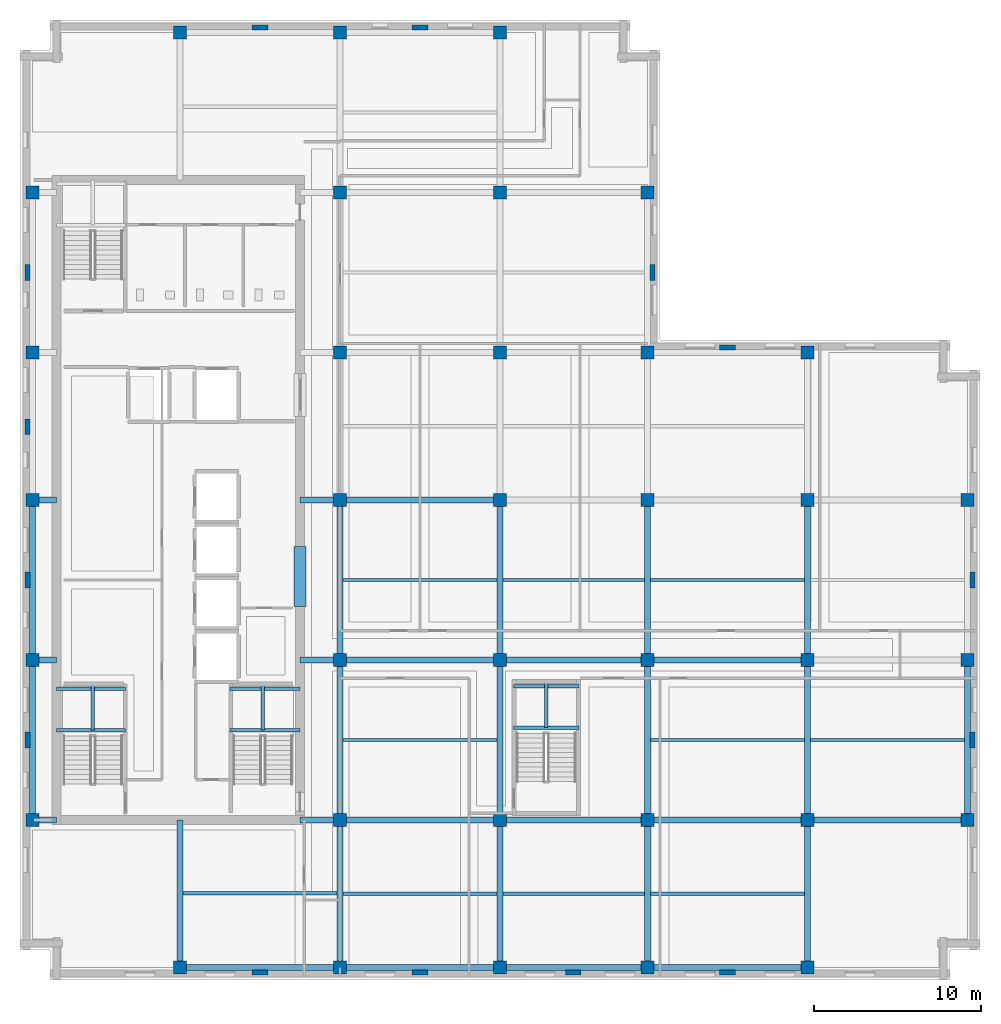
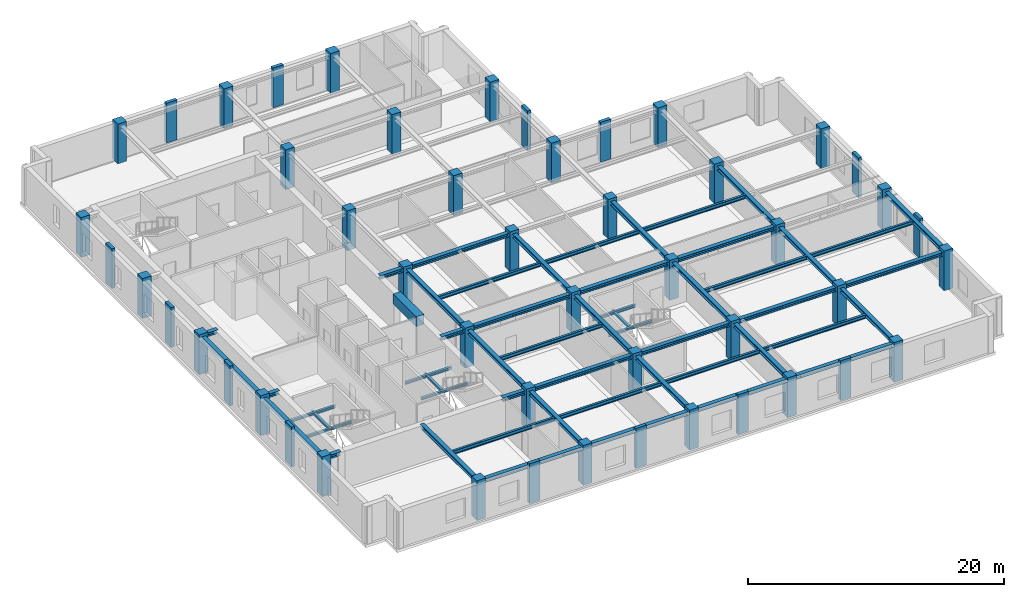
# One storey, part 1 of 10: 54 beams, 49 columns.
"""IFC4 building model written with IfcOpenShell, lengths in metres."""

from ifc_helpers import new_model, si_unit, direction, frame, origin, origin_2d, place, context, subcontext, project, spatial, rectangle, i_section, extrude, material, material_profile, profile_set, type_object, element, save


model = new_model("IFC4")

# Units and contexts
model_context = context("Model", 3, precision=1e-05, world=origin(), true_north=direction((0.0, 1.0)))
body_context = subcontext(model_context, "Body", "Model", "MODEL_VIEW")
ifc_project = project(units=[si_unit("LENGTHUNIT", "METRE"), si_unit("AREAUNIT", "SQUARE_METRE"), si_unit("VOLUMEUNIT", "CUBIC_METRE"), si_unit("PLANEANGLEUNIT", "RADIAN"), si_unit("MASSUNIT", "GRAM", prefix="KILO")], contexts=[model_context])

# Site, building, storey
site_placement = place(None, origin())
site = spatial("IfcSite", under=ifc_project, at=site_placement, CompositionType="ELEMENT")
building_placement = place(site_placement, origin())
building = spatial("IfcBuilding", under=site, at=building_placement, Name="Norrvale University Quadrangle", CompositionType="ELEMENT")
storey_placement = place(building_placement, frame((0.0, 0.0, 233.199951171875)))
storey = spatial("IfcBuildingStorey", under=building, at=storey_placement, Name="L59", CompositionType="ELEMENT", Elevation=233.199951171875)

# Columns
ifc_material_1 = material(Name="Red Manganese Brick Concrete C60/75", Category="concrete")
ifc_material_profile_1 = material_profile(ifc_material_1, rectangle(XDim=0.949951171875, YDim=0.300048828125, at=origin_2d()), Name="Red Manganese Brick Concrete C60/75")
ifc_profile_set_1 = profile_set([ifc_material_profile_1], Name="Red Manganese Brick Concrete C60/75")
column_type_1 = type_object("IfcColumnType", Name="Column Brick Pier 950x300", PredefinedType="PILASTER", material=ifc_profile_set_1)
for number, where, z_axis, x_axis, name in (
    (1, (0.449951171875, 14.39990234375, 0.0), (0.0, 0.0, 1.0), (0.0, 1.0, 0.0), "Exterior Brick Facade Pilaster L59-01"),
    (2, (0.449951171875, 24.0, 0.0), (0.0, 0.0, 1.0), (0.0, 1.0, 0.0), "Exterior Brick Facade Pilaster L59-02"),
    (3, (0.449951171875, 33.199951171875, 0.0), (0.0, 0.0, 1.0), (0.0, 1.0, 0.0), "Exterior Brick Facade Pilaster L59-03"),
    (4, (0.449951171875, 42.449951171875, 0.0), (0.0, 0.0, 1.0), (0.0, 1.0, 0.0), "Exterior Brick Facade Pilaster L59-04"),
    (5, (14.39990234375, 0.449951171875, 0.0), (0.0, 0.0, 1.0), (1.0, 0.0, 0.0), "Exterior Brick Facade Pilaster L59-05"),
    (6, (24.0, 0.449951171875, 0.0), (0.0, 0.0, 1.0), (1.0, 0.0, 0.0), "Exterior Brick Facade Pilaster L59-06"),
    (7, (33.199951171875, 0.449951171875, 0.0), (0.0, 0.0, 1.0), (1.0, 0.0, 0.0), "Exterior Brick Facade Pilaster L59-07"),
    (8, (42.449951171875, 0.449951171875, 0.0), (0.0, 0.0, 1.0), (1.0, 0.0, 0.0), "Exterior Brick Facade Pilaster L59-08"),
    (9, (57.14990234375, 14.39990234375, 0.0), (0.0, 0.0, 1.0), (0.0, 1.0, 0.0), "Exterior Brick Facade Pilaster L59-09"),
    (10, (57.14990234375, 24.0, 0.0), (0.0, 0.0, 1.0), (0.0, 1.0, 0.0), "Exterior Brick Facade Pilaster L59-10"),
    (11, (14.39990234375, 57.14990234375, 0.0), (0.0, 0.0, 1.0), (1.0, 0.0, 0.0), "Exterior Brick Facade Pilaster L59-11"),
    (12, (24.0, 57.14990234375, 0.0), (0.0, 0.0, 1.0), (1.0, 0.0, 0.0), "Exterior Brick Facade Pilaster L59-12"),
    (13, (37.949951171875, 42.449951171875, 0.0), (0.0, 0.0, 1.0), (0.0, 1.0, 0.0), "Exterior Brick Facade Pilaster L59-13"),
    (14, (42.449951171875, 37.949951171875, 0.0), (0.0, 0.0, 1.0), (1.0, 0.0, 0.0), "Exterior Brick Facade Pilaster L59-14"),
):
    element("IfcColumn", number, at=place(storey_placement, frame(where, z_axis=z_axis, x_axis=x_axis)), inside=storey, type_object=column_type_1, Name=name, PredefinedType="PILASTER", context=body_context, shape_type="SweptSolid", body=[
        extrude(rectangle(XDim=0.949951171875, YDim=0.300048828125, at=origin_2d()), origin(), (0.0, 0.0, 1.0), 3.800048828125),
    ])
ifc_material_2 = material(Name="Concrete C60/75", Category="concrete")
ifc_material_profile_2 = material_profile(ifc_material_2, rectangle(XDim=0.800048828125, YDim=0.800048828125, at=origin_2d()), Name="Concrete C60/75")
ifc_profile_set_2 = profile_set([ifc_material_profile_2], Name="Concrete C60/75")
column_type_2 = type_object("IfcColumnType", Name="Column Tower Z3 800x800", PredefinedType="COLUMN", material=ifc_profile_set_2)
for number, where, z_axis, x_axis, name in (
    (15, (0.75, 9.60009765625, 0.0), (0.0, 0.0, 1.0), (1.0, 0.0, 0.0), "Tower Column L59-T01"),
    (16, (0.75, 19.199951171875, 0.0), (0.0, 0.0, 1.0), (1.0, 0.0, 0.0), "Tower Column L59-T02"),
    (17, (0.75, 28.800048828125, 0.0), (0.0, 0.0, 1.0), (1.0, 0.0, 0.0), "Tower Column L59-T03"),
    (18, (0.75, 37.64990234375, 0.0), (0.0, 0.0, 1.0), (1.0, 0.0, 0.0), "Tower Column L59-T04"),
    (19, (0.75, 47.25, 0.0), (0.0, 0.0, 1.0), (1.0, 0.0, 0.0), "Tower Column L59-T05"),
    (20, (9.60009765625, 0.75, 0.0), (0.0, 0.0, 1.0), (1.0, 0.0, 0.0), "Tower Column L59-T06"),
    (21, (9.60009765625, 56.85009765625, 0.0), (0.0, 0.0, 1.0), (1.0, 0.0, 0.0), "Tower Column L59-T07"),
    (22, (19.199951171875, 0.75, 0.0), (0.0, 0.0, 1.0), (1.0, 0.0, 0.0), "Tower Column L59-T08"),
    (23, (19.199951171875, 9.60009765625, 0.0), (0.0, 0.0, 1.0), (1.0, 0.0, 0.0), "Tower Column L59-T09"),
    (24, (19.199951171875, 19.199951171875, 0.0), (0.0, 0.0, 1.0), (1.0, 0.0, 0.0), "Tower Column L59-T10"),
    (25, (19.199951171875, 28.800048828125, 0.0), (0.0, 0.0, 1.0), (1.0, 0.0, 0.0), "Tower Column L59-T11"),
    (26, (19.199951171875, 37.64990234375, 0.0), (0.0, 0.0, 1.0), (1.0, 0.0, 0.0), "Tower Column L59-T12"),
    (27, (19.199951171875, 47.25, 0.0), (0.0, 0.0, 1.0), (1.0, 0.0, 0.0), "Tower Column L59-T13"),
    (28, (19.199951171875, 56.85009765625, 0.0), (0.0, 0.0, 1.0), (1.0, 0.0, 0.0), "Tower Column L59-T14"),
    (29, (28.800048828125, 0.75, 0.0), (0.0, 0.0, 1.0), (1.0, 0.0, 0.0), "Tower Column L59-T15"),
    (30, (28.800048828125, 9.60009765625, 0.0), (0.0, 0.0, 1.0), (1.0, 0.0, 0.0), "Tower Column L59-T16"),
    (31, (28.800048828125, 19.199951171875, 0.0), (0.0, 0.0, 1.0), (1.0, 0.0, 0.0), "Tower Column L59-T17"),
    (32, (28.800048828125, 28.800048828125, 0.0), (0.0, 0.0, 1.0), (1.0, 0.0, 0.0), "Tower Column L59-T18"),
    (33, (28.800048828125, 37.64990234375, 0.0), (0.0, 0.0, 1.0), (1.0, 0.0, 0.0), "Tower Column L59-T19"),
    (34, (28.800048828125, 47.25, 0.0), (0.0, 0.0, 1.0), (1.0, 0.0, 0.0), "Tower Column L59-T20"),
    (35, (28.800048828125, 56.85009765625, 0.0), (0.0, 0.0, 1.0), (1.0, 0.0, 0.0), "Tower Column L59-T21"),
    (36, (37.64990234375, 0.75, 0.0), (0.0, 0.0, 1.0), (1.0, 0.0, 0.0), "Tower Column L59-T22"),
    (37, (37.64990234375, 9.60009765625, 0.0), (0.0, 0.0, 1.0), (1.0, 0.0, 0.0), "Tower Column L59-T23"),
    (38, (37.64990234375, 19.199951171875, 0.0), (0.0, 0.0, 1.0), (1.0, 0.0, 0.0), "Tower Column L59-T24"),
    (39, (37.64990234375, 28.800048828125, 0.0), (0.0, 0.0, 1.0), (1.0, 0.0, 0.0), "Tower Column L59-T25"),
    (40, (37.64990234375, 37.64990234375, 0.0), (0.0, 0.0, 1.0), (1.0, 0.0, 0.0), "Tower Column L59-T26"),
    (41, (37.64990234375, 47.25, 0.0), (0.0, 0.0, 1.0), (1.0, 0.0, 0.0), "Tower Column L59-T27"),
    (42, (47.25, 0.75, 0.0), (0.0, 0.0, 1.0), (1.0, 0.0, 0.0), "Tower Column L59-T28"),
    (43, (47.25, 9.60009765625, 0.0), (0.0, 0.0, 1.0), (1.0, 0.0, 0.0), "Tower Column L59-T29"),
    (44, (47.25, 19.199951171875, 0.0), (0.0, 0.0, 1.0), (1.0, 0.0, 0.0), "Tower Column L59-T30"),
    (45, (47.25, 28.800048828125, 0.0), (0.0, 0.0, 1.0), (1.0, 0.0, 0.0), "Tower Column L59-T31"),
    (46, (47.25, 37.64990234375, 0.0), (0.0, 0.0, 1.0), (1.0, 0.0, 0.0), "Tower Column L59-T32"),
    (47, (56.85009765625, 9.60009765625, 0.0), (0.0, 0.0, 1.0), (1.0, 0.0, 0.0), "Tower Column L59-T33"),
    (48, (56.85009765625, 19.199951171875, 0.0), (0.0, 0.0, 1.0), (1.0, 0.0, 0.0), "Tower Column L59-T34"),
    (49, (56.85009765625, 28.800048828125, 0.0), (0.0, 0.0, 1.0), (1.0, 0.0, 0.0), "Tower Column L59-T35"),
):
    element("IfcColumn", number, at=place(storey_placement, frame(where, z_axis=z_axis, x_axis=x_axis)), inside=storey, type_object=column_type_2, Name=name, PredefinedType="COLUMN", context=body_context, shape_type="SweptSolid", body=[
        extrude(rectangle(XDim=0.800048828125, YDim=0.800048828125, at=origin_2d()), origin(), (0.0, 0.0, 1.0), 3.800048828125),
    ])

# Beams
ifc_material_3 = material(Name="Concrete C80/95", Category="concrete")
ifc_material_profile_3 = material_profile(ifc_material_3, rectangle(XDim=0.699951171875, YDim=0.949951171875, at=origin_2d()), Name="Concrete C80/95")
ifc_profile_set_3 = profile_set([ifc_material_profile_3], Name="Concrete C80/95")
beam_type_1 = type_object("IfcBeamType", Name="Beam Core Link 700x950", PredefinedType="LINTEL", material=ifc_profile_set_3)
beam_1_placement = place(storey_placement, frame((16.800048828125, 22.39990234375, 3.06494140625), z_axis=(0.0, 1.0, 0.0), x_axis=(-1.0, 0.0, 0.0)))
element("IfcBeam", 50, at=beam_1_placement, inside=storey, type_object=beam_type_1, Name="Core Coupling Lintel Beam L59-1", PredefinedType="LINTEL", context=body_context, shape_type="SweptSolid", body=[
    extrude(rectangle(XDim=0.699951171875, YDim=0.949951171875, at=origin_2d()), origin(), (0.0, 0.0, 1.0), 3.60009765625),
])
ifc_material_4 = material(Name="Steel 350W", Category="steel")
ifc_material_profile_4 = material_profile(ifc_material_4, i_section(OverallWidth=0.368896484375, OverallDepth=0.35595703125, WebThickness=0.01123046875, FlangeThickness=0.01806640625, FilletRadius=0.014892578125, at=origin_2d()), Name="Steel 350W")
ifc_profile_set_4 = profile_set([ifc_material_profile_4], Name="Steel 350W")
beam_type_2 = type_object("IfcBeamType", Name="Beam Crown W360x134", PredefinedType="BEAM", material=ifc_profile_set_4)
beam_2_placement = place(storey_placement, frame((9.60009765625, 0.75, 3.362060546875), z_axis=(1.0, 0.0, 0.0), x_axis=(0.0, 1.0, 0.0)))
element("IfcBeam", 51, at=beam_2_placement, inside=storey, type_object=beam_type_2, Name="Beam Crown W360x134 BM-L59-GX001", PredefinedType="BEAM", context=body_context, shape_type="SweptSolid", body=[
    extrude(i_section(OverallWidth=0.368896484375, OverallDepth=0.35595703125, WebThickness=0.01123046875, FlangeThickness=0.01806640625, FilletRadius=0.014892578125, at=origin_2d()), origin(), (0.0, 0.0, 1.0), 9.599853515625),
])
beam_3_placement = place(storey_placement, frame((19.199951171875, 0.75, 3.362060546875), z_axis=(1.0, 0.0, 0.0), x_axis=(0.0, 1.0, 0.0)))
element("IfcBeam", 52, at=beam_3_placement, inside=storey, type_object=beam_type_2, Name="Beam Crown W360x134 BM-L59-GX002", PredefinedType="BEAM", context=body_context, shape_type="SweptSolid", body=[
    extrude(i_section(OverallWidth=0.368896484375, OverallDepth=0.35595703125, WebThickness=0.01123046875, FlangeThickness=0.01806640625, FilletRadius=0.014892578125, at=origin_2d()), origin(), (0.0, 0.0, 1.0), 9.60009765625),
])
beam_4_placement = place(storey_placement, frame((28.800048828125, 0.75, 3.362060546875), z_axis=(1.0, 0.0, 0.0), x_axis=(0.0, 1.0, 0.0)))
element("IfcBeam", 53, at=beam_4_placement, inside=storey, type_object=beam_type_2, Name="Beam Crown W360x134 BM-L59-GX003", PredefinedType="BEAM", context=body_context, shape_type="SweptSolid", body=[
    extrude(i_section(OverallWidth=0.368896484375, OverallDepth=0.35595703125, WebThickness=0.01123046875, FlangeThickness=0.01806640625, FilletRadius=0.014892578125, at=origin_2d()), origin(), (0.0, 0.0, 1.0), 8.849853515625),
])
for number, where, z_axis, x_axis, name in (
    (54, (37.64990234375, 0.75, 3.362060546875), (1.0, 0.0, 0.0), (0.0, 1.0, 0.0), "Beam Crown W360x134 BM-L59-GX004"),
    (55, (19.199951171875, 9.60009765625, 3.362060546875), (1.0, 0.0, 0.0), (0.0, 1.0, 0.0), "Beam Crown W360x134 BM-L59-GX005"),
):
    element("IfcBeam", number, at=place(storey_placement, frame(where, z_axis=z_axis, x_axis=x_axis)), inside=storey, type_object=beam_type_2, Name=name, PredefinedType="BEAM", context=body_context, shape_type="SweptSolid", body=[
        extrude(i_section(OverallWidth=0.368896484375, OverallDepth=0.35595703125, WebThickness=0.01123046875, FlangeThickness=0.01806640625, FilletRadius=0.014892578125, at=origin_2d()), origin(), (0.0, 0.0, 1.0), 9.60009765625),
    ])
beam_5_placement = place(storey_placement, frame((28.800048828125, 9.60009765625, 3.362060546875), z_axis=(1.0, 0.0, 0.0), x_axis=(0.0, 1.0, 0.0)))
element("IfcBeam", 56, at=beam_5_placement, inside=storey, type_object=beam_type_2, Name="Beam Crown W360x134 BM-L59-GX006", PredefinedType="BEAM", context=body_context, shape_type="SweptSolid", body=[
    extrude(i_section(OverallWidth=0.368896484375, OverallDepth=0.35595703125, WebThickness=0.01123046875, FlangeThickness=0.01806640625, FilletRadius=0.014892578125, at=origin_2d()), origin(), (0.0, 0.0, 1.0), 8.849853515625),
])
for number, where, z_axis, x_axis, name in (
    (57, (37.64990234375, 9.60009765625, 3.362060546875), (1.0, 0.0, 0.0), (0.0, 1.0, 0.0), "Beam Crown W360x134 BM-L59-GX007"),
    (58, (47.25, 9.60009765625, 3.362060546875), (1.0, 0.0, 0.0), (0.0, 1.0, 0.0), "Beam Crown W360x134 BM-L59-GX008"),
    (59, (19.199951171875, 19.199951171875, 3.362060546875), (1.0, 0.0, 0.0), (0.0, 1.0, 0.0), "Beam Crown W360x134 BM-L59-GX009"),
):
    element("IfcBeam", number, at=place(storey_placement, frame(where, z_axis=z_axis, x_axis=x_axis)), inside=storey, type_object=beam_type_2, Name=name, PredefinedType="BEAM", context=body_context, shape_type="SweptSolid", body=[
        extrude(i_section(OverallWidth=0.368896484375, OverallDepth=0.35595703125, WebThickness=0.01123046875, FlangeThickness=0.01806640625, FilletRadius=0.014892578125, at=origin_2d()), origin(), (0.0, 0.0, 1.0), 9.60009765625),
    ])
beam_6_placement = place(storey_placement, frame((28.800048828125, 19.199951171875, 3.362060546875), z_axis=(1.0, 0.0, 0.0), x_axis=(0.0, 1.0, 0.0)))
element("IfcBeam", 60, at=beam_6_placement, inside=storey, type_object=beam_type_2, Name="Beam Crown W360x134 BM-L59-GX010", PredefinedType="BEAM", context=body_context, shape_type="SweptSolid", body=[
    extrude(i_section(OverallWidth=0.368896484375, OverallDepth=0.35595703125, WebThickness=0.01123046875, FlangeThickness=0.01806640625, FilletRadius=0.014892578125, at=origin_2d()), origin(), (0.0, 0.0, 1.0), 8.849853515625),
])
for number, where, z_axis, x_axis, name in (
    (61, (37.64990234375, 19.199951171875, 3.362060546875), (1.0, 0.0, 0.0), (0.0, 1.0, 0.0), "Beam Crown W360x134 BM-L59-GX011"),
    (62, (19.199951171875, 28.800048828125, 3.362060546875), (1.0, 0.0, 0.0), (0.0, 1.0, 0.0), "Beam Crown W360x134 BM-L59-GX013"),
):
    element("IfcBeam", number, at=place(storey_placement, frame(where, z_axis=z_axis, x_axis=x_axis)), inside=storey, type_object=beam_type_2, Name=name, PredefinedType="BEAM", context=body_context, shape_type="SweptSolid", body=[
        extrude(i_section(OverallWidth=0.368896484375, OverallDepth=0.35595703125, WebThickness=0.01123046875, FlangeThickness=0.01806640625, FilletRadius=0.014892578125, at=origin_2d()), origin(), (0.0, 0.0, 1.0), 9.60009765625),
    ])
beam_7_placement = place(storey_placement, frame((0.75, 9.60009765625, 3.362060546875), z_axis=(0.0, 1.0, 0.0), x_axis=(-1.0, 0.0, 0.0)))
element("IfcBeam", 63, at=beam_7_placement, inside=storey, type_object=beam_type_2, Name="Beam Crown W360x134 BM-L59-GY024", PredefinedType="BEAM", context=body_context, shape_type="SweptSolid", body=[
    extrude(i_section(OverallWidth=0.368896484375, OverallDepth=0.35595703125, WebThickness=0.01123046875, FlangeThickness=0.01806640625, FilletRadius=0.014892578125, at=origin_2d()), origin(), (0.0, 0.0, 1.0), 9.599853515625),
])
beam_8_placement = place(storey_placement, frame((0.75, 19.199951171875, 3.362060546875), z_axis=(0.0, 1.0, 0.0), x_axis=(-1.0, 0.0, 0.0)))
element("IfcBeam", 64, at=beam_8_placement, inside=storey, type_object=beam_type_2, Name="Beam Crown W360x134 BM-L59-GY025", PredefinedType="BEAM", context=body_context, shape_type="SweptSolid", body=[
    extrude(i_section(OverallWidth=0.368896484375, OverallDepth=0.35595703125, WebThickness=0.01123046875, FlangeThickness=0.01806640625, FilletRadius=0.014892578125, at=origin_2d()), origin(), (0.0, 0.0, 1.0), 9.60009765625),
])
beam_9_placement = place(storey_placement, frame((19.199951171875, 0.75, 3.362060546875), z_axis=(0.0, 1.0, 0.0), x_axis=(-1.0, 0.0, 0.0)))
element("IfcBeam", 65, at=beam_9_placement, inside=storey, type_object=beam_type_2, Name="Beam Crown W360x134 BM-L59-GY028", PredefinedType="BEAM", context=body_context, shape_type="SweptSolid", body=[
    extrude(i_section(OverallWidth=0.368896484375, OverallDepth=0.35595703125, WebThickness=0.01123046875, FlangeThickness=0.01806640625, FilletRadius=0.014892578125, at=origin_2d()), origin(), (0.0, 0.0, 1.0), 8.85009765625),
])
beam_10_placement = place(storey_placement, frame((19.199951171875, 9.60009765625, 3.362060546875), z_axis=(0.0, 1.0, 0.0), x_axis=(-1.0, 0.0, 0.0)))
element("IfcBeam", 66, at=beam_10_placement, inside=storey, type_object=beam_type_2, Name="Beam Crown W360x134 BM-L59-GY029", PredefinedType="BEAM", context=body_context, shape_type="SweptSolid", body=[
    extrude(i_section(OverallWidth=0.368896484375, OverallDepth=0.35595703125, WebThickness=0.01123046875, FlangeThickness=0.01806640625, FilletRadius=0.014892578125, at=origin_2d()), origin(), (0.0, 0.0, 1.0), 9.599853515625),
])
beam_11_placement = place(storey_placement, frame((19.199951171875, 19.199951171875, 3.362060546875), z_axis=(0.0, 1.0, 0.0), x_axis=(-1.0, 0.0, 0.0)))
element("IfcBeam", 67, at=beam_11_placement, inside=storey, type_object=beam_type_2, Name="Beam Crown W360x134 BM-L59-GY030", PredefinedType="BEAM", context=body_context, shape_type="SweptSolid", body=[
    extrude(i_section(OverallWidth=0.368896484375, OverallDepth=0.35595703125, WebThickness=0.01123046875, FlangeThickness=0.01806640625, FilletRadius=0.014892578125, at=origin_2d()), origin(), (0.0, 0.0, 1.0), 9.60009765625),
])
beam_12_placement = place(storey_placement, frame((28.800048828125, 0.75, 3.362060546875), z_axis=(0.0, 1.0, 0.0), x_axis=(-1.0, 0.0, 0.0)))
element("IfcBeam", 68, at=beam_12_placement, inside=storey, type_object=beam_type_2, Name="Beam Crown W360x134 BM-L59-GY034", PredefinedType="BEAM", context=body_context, shape_type="SweptSolid", body=[
    extrude(i_section(OverallWidth=0.368896484375, OverallDepth=0.35595703125, WebThickness=0.01123046875, FlangeThickness=0.01806640625, FilletRadius=0.014892578125, at=origin_2d()), origin(), (0.0, 0.0, 1.0), 8.85009765625),
])
beam_13_placement = place(storey_placement, frame((28.800048828125, 9.60009765625, 3.362060546875), z_axis=(0.0, 1.0, 0.0), x_axis=(-1.0, 0.0, 0.0)))
element("IfcBeam", 69, at=beam_13_placement, inside=storey, type_object=beam_type_2, Name="Beam Crown W360x134 BM-L59-GY035", PredefinedType="BEAM", context=body_context, shape_type="SweptSolid", body=[
    extrude(i_section(OverallWidth=0.368896484375, OverallDepth=0.35595703125, WebThickness=0.01123046875, FlangeThickness=0.01806640625, FilletRadius=0.014892578125, at=origin_2d()), origin(), (0.0, 0.0, 1.0), 9.599853515625),
])
beam_14_placement = place(storey_placement, frame((28.800048828125, 19.199951171875, 3.362060546875), z_axis=(0.0, 1.0, 0.0), x_axis=(-1.0, 0.0, 0.0)))
element("IfcBeam", 70, at=beam_14_placement, inside=storey, type_object=beam_type_2, Name="Beam Crown W360x134 BM-L59-GY036", PredefinedType="BEAM", context=body_context, shape_type="SweptSolid", body=[
    extrude(i_section(OverallWidth=0.368896484375, OverallDepth=0.35595703125, WebThickness=0.01123046875, FlangeThickness=0.01806640625, FilletRadius=0.014892578125, at=origin_2d()), origin(), (0.0, 0.0, 1.0), 9.60009765625),
])
beam_15_placement = place(storey_placement, frame((37.64990234375, 0.75, 3.362060546875), z_axis=(0.0, 1.0, 0.0), x_axis=(-1.0, 0.0, 0.0)))
element("IfcBeam", 71, at=beam_15_placement, inside=storey, type_object=beam_type_2, Name="Beam Crown W360x134 BM-L59-GY040", PredefinedType="BEAM", context=body_context, shape_type="SweptSolid", body=[
    extrude(i_section(OverallWidth=0.368896484375, OverallDepth=0.35595703125, WebThickness=0.01123046875, FlangeThickness=0.01806640625, FilletRadius=0.014892578125, at=origin_2d()), origin(), (0.0, 0.0, 1.0), 8.85009765625),
])
beam_16_placement = place(storey_placement, frame((37.64990234375, 9.60009765625, 3.362060546875), z_axis=(0.0, 1.0, 0.0), x_axis=(-1.0, 0.0, 0.0)))
element("IfcBeam", 72, at=beam_16_placement, inside=storey, type_object=beam_type_2, Name="Beam Crown W360x134 BM-L59-GY041", PredefinedType="BEAM", context=body_context, shape_type="SweptSolid", body=[
    extrude(i_section(OverallWidth=0.368896484375, OverallDepth=0.35595703125, WebThickness=0.01123046875, FlangeThickness=0.01806640625, FilletRadius=0.014892578125, at=origin_2d()), origin(), (0.0, 0.0, 1.0), 9.599853515625),
])
beam_17_placement = place(storey_placement, frame((37.64990234375, 19.199951171875, 3.362060546875), z_axis=(0.0, 1.0, 0.0), x_axis=(-1.0, 0.0, 0.0)))
element("IfcBeam", 73, at=beam_17_placement, inside=storey, type_object=beam_type_2, Name="Beam Crown W360x134 BM-L59-GY042", PredefinedType="BEAM", context=body_context, shape_type="SweptSolid", body=[
    extrude(i_section(OverallWidth=0.368896484375, OverallDepth=0.35595703125, WebThickness=0.01123046875, FlangeThickness=0.01806640625, FilletRadius=0.014892578125, at=origin_2d()), origin(), (0.0, 0.0, 1.0), 9.60009765625),
])
beam_18_placement = place(storey_placement, frame((47.25, 0.75, 3.362060546875), z_axis=(0.0, 1.0, 0.0), x_axis=(-1.0, 0.0, 0.0)))
element("IfcBeam", 74, at=beam_18_placement, inside=storey, type_object=beam_type_2, Name="Beam Crown W360x134 BM-L59-GY045", PredefinedType="BEAM", context=body_context, shape_type="SweptSolid", body=[
    extrude(i_section(OverallWidth=0.368896484375, OverallDepth=0.35595703125, WebThickness=0.01123046875, FlangeThickness=0.01806640625, FilletRadius=0.014892578125, at=origin_2d()), origin(), (0.0, 0.0, 1.0), 8.85009765625),
])
beam_19_placement = place(storey_placement, frame((47.25, 9.60009765625, 3.362060546875), z_axis=(0.0, 1.0, 0.0), x_axis=(-1.0, 0.0, 0.0)))
element("IfcBeam", 75, at=beam_19_placement, inside=storey, type_object=beam_type_2, Name="Beam Crown W360x134 BM-L59-GY046", PredefinedType="BEAM", context=body_context, shape_type="SweptSolid", body=[
    extrude(i_section(OverallWidth=0.368896484375, OverallDepth=0.35595703125, WebThickness=0.01123046875, FlangeThickness=0.01806640625, FilletRadius=0.014892578125, at=origin_2d()), origin(), (0.0, 0.0, 1.0), 9.599853515625),
])
beam_20_placement = place(storey_placement, frame((47.25, 19.199951171875, 3.362060546875), z_axis=(0.0, 1.0, 0.0), x_axis=(-1.0, 0.0, 0.0)))
element("IfcBeam", 76, at=beam_20_placement, inside=storey, type_object=beam_type_2, Name="Beam Crown W360x134 BM-L59-GY047", PredefinedType="BEAM", context=body_context, shape_type="SweptSolid", body=[
    extrude(i_section(OverallWidth=0.368896484375, OverallDepth=0.35595703125, WebThickness=0.01123046875, FlangeThickness=0.01806640625, FilletRadius=0.014892578125, at=origin_2d()), origin(), (0.0, 0.0, 1.0), 9.60009765625),
])
beam_21_placement = place(storey_placement, frame((56.85009765625, 9.60009765625, 3.362060546875), z_axis=(0.0, 1.0, 0.0), x_axis=(-1.0, 0.0, 0.0)))
element("IfcBeam", 77, at=beam_21_placement, inside=storey, type_object=beam_type_2, Name="Beam Crown W360x134 BM-L59-GY049", PredefinedType="BEAM", context=body_context, shape_type="SweptSolid", body=[
    extrude(i_section(OverallWidth=0.368896484375, OverallDepth=0.35595703125, WebThickness=0.01123046875, FlangeThickness=0.01806640625, FilletRadius=0.014892578125, at=origin_2d()), origin(), (0.0, 0.0, 1.0), 9.599853515625),
])
beam_22_placement = place(storey_placement, frame((0.75, 9.60009765625, 3.362060546875), z_axis=(1.0, 0.0, 0.0), x_axis=(0.0, 1.0, 0.0)))
element("IfcBeam", 78, at=beam_22_placement, inside=storey, type_object=beam_type_2, Name="Beam Crown W360x134 BM-L59-GCW051", PredefinedType="BEAM", context=body_context, shape_type="SweptSolid", body=[
    extrude(i_section(OverallWidth=0.368896484375, OverallDepth=0.35595703125, WebThickness=0.01123046875, FlangeThickness=0.01806640625, FilletRadius=0.014892578125, at=origin_2d()), origin(), (0.0, 0.0, 1.0), 1.449951171875),
])
beam_23_placement = place(storey_placement, frame((16.800048828125, 9.60009765625, 3.362060546875), z_axis=(1.0, 0.0, 0.0), x_axis=(0.0, 1.0, 0.0)))
element("IfcBeam", 79, at=beam_23_placement, inside=storey, type_object=beam_type_2, Name="Beam Crown W360x134 BM-L59-GCE052", PredefinedType="BEAM", context=body_context, shape_type="SweptSolid", body=[
    extrude(i_section(OverallWidth=0.368896484375, OverallDepth=0.35595703125, WebThickness=0.01123046875, FlangeThickness=0.01806640625, FilletRadius=0.014892578125, at=origin_2d()), origin(), (0.0, 0.0, 1.0), 2.39990234375),
])
beam_24_placement = place(storey_placement, frame((0.75, 19.199951171875, 3.362060546875), z_axis=(1.0, 0.0, 0.0), x_axis=(0.0, 1.0, 0.0)))
element("IfcBeam", 80, at=beam_24_placement, inside=storey, type_object=beam_type_2, Name="Beam Crown W360x134 BM-L59-GCW053", PredefinedType="BEAM", context=body_context, shape_type="SweptSolid", body=[
    extrude(i_section(OverallWidth=0.368896484375, OverallDepth=0.35595703125, WebThickness=0.01123046875, FlangeThickness=0.01806640625, FilletRadius=0.014892578125, at=origin_2d()), origin(), (0.0, 0.0, 1.0), 1.449951171875),
])
beam_25_placement = place(storey_placement, frame((16.800048828125, 19.199951171875, 3.362060546875), z_axis=(1.0, 0.0, 0.0), x_axis=(0.0, 1.0, 0.0)))
element("IfcBeam", 81, at=beam_25_placement, inside=storey, type_object=beam_type_2, Name="Beam Crown W360x134 BM-L59-GCE054", PredefinedType="BEAM", context=body_context, shape_type="SweptSolid", body=[
    extrude(i_section(OverallWidth=0.368896484375, OverallDepth=0.35595703125, WebThickness=0.01123046875, FlangeThickness=0.01806640625, FilletRadius=0.014892578125, at=origin_2d()), origin(), (0.0, 0.0, 1.0), 2.39990234375),
])
beam_26_placement = place(storey_placement, frame((0.75, 28.800048828125, 3.362060546875), z_axis=(1.0, 0.0, 0.0), x_axis=(0.0, 1.0, 0.0)))
element("IfcBeam", 82, at=beam_26_placement, inside=storey, type_object=beam_type_2, Name="Beam Crown W360x134 BM-L59-GCW055", PredefinedType="BEAM", context=body_context, shape_type="SweptSolid", body=[
    extrude(i_section(OverallWidth=0.368896484375, OverallDepth=0.35595703125, WebThickness=0.01123046875, FlangeThickness=0.01806640625, FilletRadius=0.014892578125, at=origin_2d()), origin(), (0.0, 0.0, 1.0), 1.449951171875),
])
beam_27_placement = place(storey_placement, frame((16.800048828125, 28.800048828125, 3.362060546875), z_axis=(1.0, 0.0, 0.0), x_axis=(0.0, 1.0, 0.0)))
element("IfcBeam", 83, at=beam_27_placement, inside=storey, type_object=beam_type_2, Name="Beam Crown W360x134 BM-L59-GCE056", PredefinedType="BEAM", context=body_context, shape_type="SweptSolid", body=[
    extrude(i_section(OverallWidth=0.368896484375, OverallDepth=0.35595703125, WebThickness=0.01123046875, FlangeThickness=0.01806640625, FilletRadius=0.014892578125, at=origin_2d()), origin(), (0.0, 0.0, 1.0), 2.39990234375),
])
beam_28_placement = place(storey_placement, frame((9.60009765625, 0.75, 3.362060546875), z_axis=(0.0, 1.0, 0.0), x_axis=(-1.0, 0.0, 0.0)))
element("IfcBeam", 84, at=beam_28_placement, inside=storey, type_object=beam_type_2, Name="Beam Crown W360x134 BM-L59-GCS077", PredefinedType="BEAM", context=body_context, shape_type="SweptSolid", body=[
    extrude(i_section(OverallWidth=0.368896484375, OverallDepth=0.35595703125, WebThickness=0.01123046875, FlangeThickness=0.01806640625, FilletRadius=0.014892578125, at=origin_2d()), origin(), (0.0, 0.0, 1.0), 8.85009765625),
])
ifc_material_profile_5 = material_profile(ifc_material_4, i_section(OverallWidth=0.205078125, OverallDepth=0.35400390625, WebThickness=0.009521484375, FlangeThickness=0.016845703125, FilletRadius=0.011962890625, at=origin_2d()), Name="Steel 350W")
ifc_profile_set_5 = profile_set([ifc_material_profile_5], Name="Steel 350W")
beam_type_3 = type_object("IfcBeamType", Name="Beam Crown W360x79", PredefinedType="BEAM", material=ifc_profile_set_5)
for number, where, z_axis, x_axis, name in (
    (85, (19.384521484375, 5.175048828125, 3.363037109375), (1.0, 0.0, 0.0), (0.0, 1.0, 0.0), "Beam Crown W360x79 BM-L59-J061"),
    (86, (19.384521484375, 14.39990234375, 3.363037109375), (1.0, 0.0, 0.0), (0.0, 1.0, 0.0), "Beam Crown W360x79 BM-L59-J062"),
    (87, (19.384521484375, 24.0, 3.363037109375), (1.0, 0.0, 0.0), (0.0, 1.0, 0.0), "Beam Crown W360x79 BM-L59-J063"),
):
    element("IfcBeam", number, at=place(storey_placement, frame(where, z_axis=z_axis, x_axis=x_axis)), inside=storey, type_object=beam_type_3, Name=name, PredefinedType="BEAM", context=body_context, shape_type="SweptSolid", body=[
        extrude(i_section(OverallWidth=0.205078125, OverallDepth=0.35400390625, WebThickness=0.009521484375, FlangeThickness=0.016845703125, FilletRadius=0.011962890625, at=origin_2d()), origin(), (0.0, 0.0, 1.0), 9.23095703125),
    ])
for number, where, z_axis, x_axis, name in (
    (88, (28.984619140625, 5.175048828125, 3.363037109375), (1.0, 0.0, 0.0), (0.0, 1.0, 0.0), "Beam Crown W360x79 BM-L59-J067"),
    (89, (28.984619140625, 24.0, 3.363037109375), (1.0, 0.0, 0.0), (0.0, 1.0, 0.0), "Beam Crown W360x79 BM-L59-J068"),
):
    element("IfcBeam", number, at=place(storey_placement, frame(where, z_axis=z_axis, x_axis=x_axis)), inside=storey, type_object=beam_type_3, Name=name, PredefinedType="BEAM", context=body_context, shape_type="SweptSolid", body=[
        extrude(i_section(OverallWidth=0.205078125, OverallDepth=0.35400390625, WebThickness=0.009521484375, FlangeThickness=0.016845703125, FilletRadius=0.011962890625, at=origin_2d()), origin(), (0.0, 0.0, 1.0), 8.48095703125),
    ])
for number, where, z_axis, x_axis, name in (
    (90, (37.83447265625, 5.175048828125, 3.363037109375), (1.0, 0.0, 0.0), (0.0, 1.0, 0.0), "Beam Crown W360x79 BM-L59-J071"),
    (91, (37.83447265625, 14.39990234375, 3.363037109375), (1.0, 0.0, 0.0), (0.0, 1.0, 0.0), "Beam Crown W360x79 BM-L59-J072"),
    (92, (37.83447265625, 24.0, 3.363037109375), (1.0, 0.0, 0.0), (0.0, 1.0, 0.0), "Beam Crown W360x79 BM-L59-J073"),
    (93, (47.4345703125, 14.39990234375, 3.363037109375), (1.0, 0.0, 0.0), (0.0, 1.0, 0.0), "Beam Crown W360x79 BM-L59-J075"),
    (94, (9.784423828125, 5.199951171875, 3.363037109375), (1.0, 0.0, 0.0), (0.0, 1.0, 0.0), "Beam Crown W360x79 BM-L59-JCS078"),
):
    element("IfcBeam", number, at=place(storey_placement, frame(where, z_axis=z_axis, x_axis=x_axis)), inside=storey, type_object=beam_type_3, Name=name, PredefinedType="BEAM", context=body_context, shape_type="SweptSolid", body=[
        extrude(i_section(OverallWidth=0.205078125, OverallDepth=0.35400390625, WebThickness=0.009521484375, FlangeThickness=0.016845703125, FilletRadius=0.011962890625, at=origin_2d()), origin(), (0.0, 0.0, 1.0), 9.23095703125),
    ])
ifc_material_profile_6 = material_profile(ifc_material_4, i_section(OverallWidth=0.201904296875, OverallDepth=0.2470703125, WebThickness=0.00732421875, FlangeThickness=0.010986328125, FilletRadius=0.011962890625, at=origin_2d()), Name="Steel 350W")
ifc_profile_set_6 = profile_set([ifc_material_profile_6], Name="Steel 350W")
beam_type_4 = type_object("IfcBeamType", Name="Beam Stair W250x49", PredefinedType="BEAM", material=ifc_profile_set_6)
for number, where, z_axis, x_axis, name in (
    (95, (2.199951171875, 14.989990234375, 1.57666015625), (1.0, 0.0, 0.0), (0.0, 1.0, 0.0), "Stair Mid-Landing Front Beam ST-01 L59"),
    (96, (2.199951171875, 17.469970703125, 1.57666015625), (1.0, 0.0, 0.0), (0.0, 1.0, 0.0), "Stair Mid-Landing Rear Beam ST-01 L59"),
):
    element("IfcBeam", number, at=place(storey_placement, frame(where, z_axis=z_axis, x_axis=x_axis)), inside=storey, type_object=beam_type_4, Name=name, PredefinedType="BEAM", context=body_context, shape_type="SweptSolid", body=[
        extrude(i_section(OverallWidth=0.201904296875, OverallDepth=0.2470703125, WebThickness=0.00732421875, FlangeThickness=0.010986328125, FilletRadius=0.011962890625, at=origin_2d()), origin(), (0.0, 0.0, 1.0), 4.14013671875),
    ])
for number, where, z_axis, x_axis, name in (
    (97, (12.610107421875, 14.989990234375, 1.57666015625), (1.0, 0.0, 0.0), (0.0, 1.0, 0.0), "Stair Mid-Landing Front Beam ST-03 L59"),
    (98, (12.610107421875, 17.469970703125, 1.57666015625), (1.0, 0.0, 0.0), (0.0, 1.0, 0.0), "Stair Mid-Landing Rear Beam ST-03 L59"),
):
    element("IfcBeam", number, at=place(storey_placement, frame(where, z_axis=z_axis, x_axis=x_axis)), inside=storey, type_object=beam_type_4, Name=name, PredefinedType="BEAM", context=body_context, shape_type="SweptSolid", body=[
        extrude(i_section(OverallWidth=0.201904296875, OverallDepth=0.2470703125, WebThickness=0.00732421875, FlangeThickness=0.010986328125, FilletRadius=0.011962890625, at=origin_2d()), origin(), (0.0, 0.0, 1.0), 4.18994140625),
    ])
for number, where, z_axis, x_axis, name in (
    (99, (29.610107421875, 15.139892578125, 1.57666015625), (1.0, 0.0, 0.0), (0.0, 1.0, 0.0), "Stair Mid-Landing Front Beam ST-04 L59"),
    (100, (29.610107421875, 17.6201171875, 1.57666015625), (1.0, 0.0, 0.0), (0.0, 1.0, 0.0), "Stair Mid-Landing Rear Beam ST-04 L59"),
):
    element("IfcBeam", number, at=place(storey_placement, frame(where, z_axis=z_axis, x_axis=x_axis)), inside=storey, type_object=beam_type_4, Name=name, PredefinedType="BEAM", context=body_context, shape_type="SweptSolid", body=[
        extrude(i_section(OverallWidth=0.201904296875, OverallDepth=0.2470703125, WebThickness=0.00732421875, FlangeThickness=0.010986328125, FilletRadius=0.011962890625, at=origin_2d()), origin(), (0.0, 0.0, 1.0), 3.929931640625),
    ])
ifc_material_profile_7 = material_profile(ifc_material_4, i_section(OverallWidth=0.202880859375, OverallDepth=0.202880859375, WebThickness=0.007080078125, FlangeThickness=0.010986328125, FilletRadius=0.010009765625, at=origin_2d()), Name="Steel 350W")
ifc_profile_set_7 = profile_set([ifc_material_profile_7], Name="Steel 350W")
beam_type_5 = type_object("IfcBeamType", Name="Beam Trim W200x46", PredefinedType="BEAM", material=ifc_profile_set_7)
for number, where, z_axis, x_axis, name in (
    (101, (4.375, 14.989990234375, 1.5986328125), (0.0, 1.0, 0.0), (-1.0, 0.0, 0.0), "Stair Mid-Landing Cross Beam ST-01 L59"),
    (102, (14.574951171875, 14.989990234375, 1.5986328125), (0.0, 1.0, 0.0), (-1.0, 0.0, 0.0), "Stair Mid-Landing Cross Beam ST-03 L59"),
    (103, (31.574951171875, 15.139892578125, 1.5986328125), (0.0, 1.0, 0.0), (-1.0, 0.0, 0.0), "Stair Mid-Landing Cross Beam ST-04 L59"),
):
    element("IfcBeam", number, at=place(storey_placement, frame(where, z_axis=z_axis, x_axis=x_axis)), inside=storey, type_object=beam_type_5, Name=name, PredefinedType="BEAM", context=body_context, shape_type="SweptSolid", body=[
        extrude(i_section(OverallWidth=0.202880859375, OverallDepth=0.202880859375, WebThickness=0.007080078125, FlangeThickness=0.010986328125, FilletRadius=0.010009765625, at=origin_2d()), origin(), (0.0, 0.0, 1.0), 2.800048828125),
    ])

save(model, "model.ifc")
